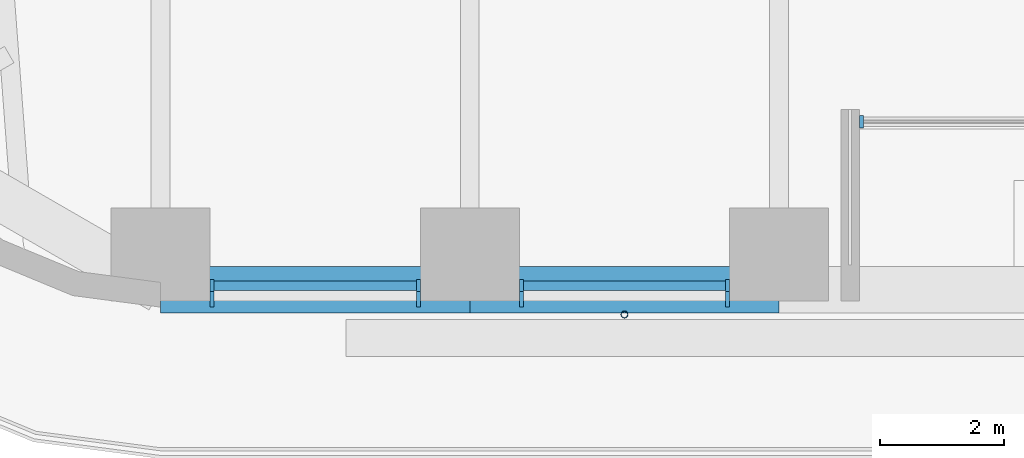
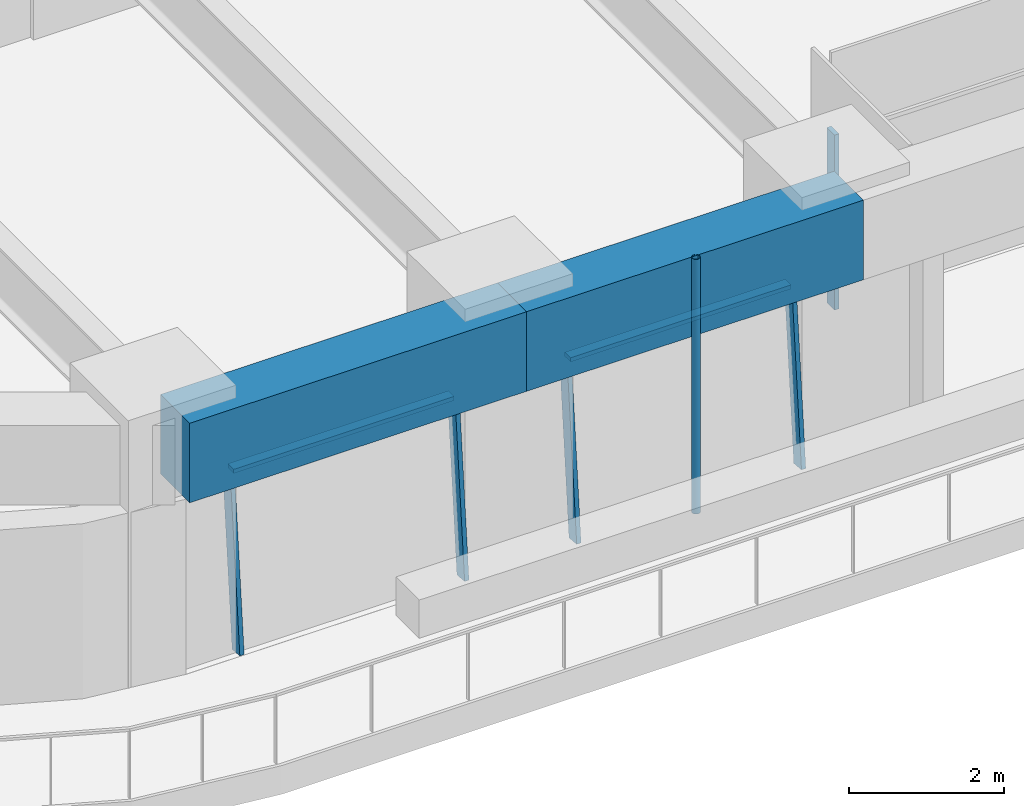
# One storey, part 2 of 24: 8 members, 2 beams, 3 elements without a shape of their own.
"""IFC4 building model written with IfcOpenShell, lengths in metres."""

from ifc_helpers import new_model, si_unit, direction, frame, origin, origin_2d, place, context, subcontext, project, spatial, rectangle, hollow_circle, extrude, material, material_profile, profile_set, type_object, element, aggregate, save


model = new_model("IFC4")

# Units and contexts
model_context = context("Model", 3, precision=1e-05, world=origin(), true_north=direction((0.0, 1.0)))
body_context = subcontext(model_context, "Body", "Model", "MODEL_VIEW")
ifc_project = project(units=[si_unit("LENGTHUNIT", "METRE"), si_unit("AREAUNIT", "SQUARE_METRE"), si_unit("VOLUMEUNIT", "CUBIC_METRE"), si_unit("PLANEANGLEUNIT", "RADIAN"), si_unit("MASSUNIT", "GRAM", prefix="KILO")], contexts=[model_context])

# Site, building, storey
site_placement = place(None, origin())
site = spatial("IfcSite", under=ifc_project, at=site_placement, CompositionType="ELEMENT")
building_placement = place(site_placement, origin())
building = spatial("IfcBuilding", under=site, at=building_placement, Name="Tarfa Lantern Tower", CompositionType="ELEMENT")
storey_placement = place(building_placement, frame((0.0, 0.0, 157.300048828125)))
storey = spatial("IfcBuildingStorey", under=building, at=storey_placement, Name="L35", CompositionType="ELEMENT", Elevation=157.300048828125)

# Curtain wall, members
ifc_material_1 = material(Name="Aluminium framed curtain wall", Category="aluminium")
curtain_wall_type_1 = type_object("IfcCurtainWallType", Name="CW2 CANTED GLAZING MID ZONE 2750", PredefinedType="USERDEFINED", material=ifc_material_1)
curtain_wall_1_placement = place(storey_placement, origin())
curtain_wall_1 = element("IfcCurtainWall", 1, at=curtain_wall_1_placement, inside=storey, type_object=curtain_wall_type_1, Name="CW2 S L35", ObjectType="CURTAIN WALL", PredefinedType="USERDEFINED")
ifc_material_2 = material(Name="Aluminium mullion", Category="aluminium")
ifc_material_profile_1 = material_profile(ifc_material_2, rectangle(XDim=0.06494140625, YDim=0.199951171875, at=origin_2d()), Name="AL MULLION 65x200")
ifc_profile_set_1 = profile_set([ifc_material_profile_1], Name="Aluminium mullion")
member_type_1 = type_object("IfcMemberType", Name="CWM1 MULLION 65x200", PredefinedType="MULLION", material=ifc_profile_set_1)
member_1_placement = place(storey_placement, frame((-14.1787109375, -31.39990234375, 0.0), z_axis=(0.0, 0.090535746043, 0.995893206468), x_axis=(-1.0, 0.0, 0.0)))
member_1 = element("IfcMember", 2, at=member_1_placement, type_object=member_type_1, Name="CW2 mullion 1", PredefinedType="MULLION", context=body_context, shape_type="SweptSolid", body=[
    extrude(rectangle(XDim=0.06494140625, YDim=0.199951171875, at=origin_2d()), origin(), (0.0, 0.0, 1.0), 2.76123046875),
])
member_2_placement = place(storey_placement, frame((-10.83984375, -31.39990234375, 0.0), z_axis=(0.0, 0.090535746043, 0.995893206468), x_axis=(-1.0, 0.0, 0.0)))
member_2 = element("IfcMember", 3, at=member_2_placement, type_object=member_type_1, Name="CW2 mullion 2", PredefinedType="MULLION", context=body_context, shape_type="SweptSolid", body=[
    extrude(rectangle(XDim=0.06494140625, YDim=0.199951171875, at=origin_2d()), origin(), (0.0, 0.0, 1.0), 2.76123046875),
])

curtain_wall_2_placement = place(storey_placement, origin())
curtain_wall_2 = element("IfcCurtainWall", 4, at=curtain_wall_2_placement, inside=storey, type_object=curtain_wall_type_1, Name="CW2 S L35", ObjectType="CURTAIN WALL", PredefinedType="USERDEFINED")
member_3_placement = place(storey_placement, frame((-9.1748046875, -31.39990234375, 0.0), z_axis=(0.0, 0.090535746043, 0.995893206468), x_axis=(-1.0, 0.0, 0.0)))
member_3 = element("IfcMember", 5, at=member_3_placement, type_object=member_type_1, Name="CW2 mullion 1", PredefinedType="MULLION", context=body_context, shape_type="SweptSolid", body=[
    extrude(rectangle(XDim=0.06494140625, YDim=0.199951171875, at=origin_2d()), origin(), (0.0, 0.0, 1.0), 2.76123046875),
])
member_4_placement = place(storey_placement, frame((-5.836181640625, -31.39990234375, 0.0), z_axis=(0.0, 0.090535746043, 0.995893206468), x_axis=(-1.0, 0.0, 0.0)))
member_4 = element("IfcMember", 6, at=member_4_placement, type_object=member_type_1, Name="CW2 mullion 2", PredefinedType="MULLION", context=body_context, shape_type="SweptSolid", body=[
    extrude(rectangle(XDim=0.06494140625, YDim=0.199951171875, at=origin_2d()), origin(), (0.0, 0.0, 1.0), 2.76123046875),
])

# Curtain wall, member
curtain_wall_type_2 = type_object("IfcCurtainWallType", Name="CW10 LOGGIA GLAZING 2750", PredefinedType="USERDEFINED", material=ifc_material_1)
curtain_wall_3_placement = place(storey_placement, origin())
curtain_wall_3 = element("IfcCurtainWall", 7, at=curtain_wall_3_placement, inside=storey, type_object=curtain_wall_type_2, Name="CW10 SL L35", ObjectType="CURTAIN WALL", PredefinedType="USERDEFINED")
member_5_placement = place(storey_placement, frame((-3.671142578125, -28.5, 0.0), z_axis=(0.0, 0.0, 1.0), x_axis=(1.0, 0.0, 0.0)))
member_5 = element("IfcMember", 8, at=member_5_placement, type_object=member_type_1, Name="CW10 mullion 1", PredefinedType="MULLION", context=body_context, shape_type="SweptSolid", body=[
    extrude(rectangle(XDim=0.06494140625, YDim=0.199951171875, at=origin_2d()), origin(), (0.0, 0.0, 1.0), 2.75),
])
aggregate(curtain_wall_3, [member_5])

# Member
ifc_material_3 = material(Name="Aluminium transom", Category="aluminium")
ifc_material_profile_2 = material_profile(ifc_material_3, rectangle(XDim=0.14990234375, YDim=0.06494140625, at=origin_2d()), Name="AL TRANSOM 150x65")
ifc_profile_set_2 = profile_set([ifc_material_profile_2], Name="Aluminium transom")
member_type_2 = type_object("IfcMemberType", Name="CWT1 TRANSOM 150x65", PredefinedType="USERDEFINED", material=ifc_profile_set_2)
member_6_placement = place(storey_placement, frame((-14.14599609375, -31.153076171875, 2.717529296875), z_axis=(1.0, 0.0, 0.0), x_axis=(0.0, 1.0, 0.0)))
member_6 = element("IfcMember", 9, at=member_6_placement, type_object=member_type_2, Name="CW2 transom 1.2", ObjectType="TRANSOM", PredefinedType="USERDEFINED", context=body_context, shape_type="SweptSolid", body=[
    extrude(rectangle(XDim=0.14990234375, YDim=0.06494140625, at=origin_2d()), origin(), (0.0, 0.0, 1.0), 3.273681640625),
])

aggregate(curtain_wall_1, [member_1, member_2, member_6])

member_7_placement = place(storey_placement, frame((-9.142333984375, -31.153076171875, 2.717529296875), z_axis=(1.0, 0.0, 0.0), x_axis=(0.0, 1.0, 0.0)))
member_7 = element("IfcMember", 10, at=member_7_placement, type_object=member_type_2, Name="CW2 transom 1.2", ObjectType="TRANSOM", PredefinedType="USERDEFINED", context=body_context, shape_type="SweptSolid", body=[
    extrude(rectangle(XDim=0.14990234375, YDim=0.06494140625, at=origin_2d()), origin(), (0.0, 0.0, 1.0), 3.273681640625),
])

aggregate(curtain_wall_2, [member_3, member_4, member_7])

# Beams
ifc_material_4 = material(Name="Concrete C80/95", Category="concrete")
ifc_material_profile_3 = material_profile(ifc_material_4, rectangle(XDim=0.75, YDim=1.25, at=origin_2d()), Name="RC 750x1250")
ifc_profile_set_3 = profile_set([ifc_material_profile_3], Name="Concrete C80/95")
beam_type = type_object("IfcBeamType", Name="EB2 RC 750x1250", PredefinedType="SPANDREL", material=ifc_profile_set_3)
for number, where, z_axis, x_axis, name in (
    (11, (-15.010986328125, -31.219970703125, 3.375), (1.0, 0.0, 0.0), (0.0, 1.0, 0.0), "Edge beam S0"),
    (12, (-10.00732421875, -31.219970703125, 3.375), (1.0, 0.0, 0.0), (0.0, 1.0, 0.0), "Edge beam S1"),
):
    element("IfcBeam", number, at=place(storey_placement, frame(where, z_axis=z_axis, x_axis=x_axis)), inside=storey, type_object=beam_type, Name=name, PredefinedType="SPANDREL", context=body_context, shape_type="SweptSolid", body=[
        extrude(rectangle(XDim=0.75, YDim=1.25, at=origin_2d()), origin(), (0.0, 0.0, 1.0), 5.003662109375),
    ])

# Member
ifc_material_5 = material(Name="Steel S355", Category="steel")
ifc_material_profile_4 = material_profile(ifc_material_5, hollow_circle(Radius=0.05712890625, WallThickness=0.00634765625, at=origin_2d()), Name="CHS114.3x6.3")
ifc_profile_set_4 = profile_set([ifc_material_profile_4], Name="Steel S355")
member_type_3 = type_object("IfcMemberType", Name="TR1 GREEN WALL TRELLIS CHS114.3x6.3", PredefinedType="USERDEFINED", material=ifc_profile_set_4)
member_8_placement = place(storey_placement, frame((-7.505615234375, -31.6201171875, 0.0), z_axis=(0.0, 0.0, 1.0), x_axis=(1.0, 0.0, 0.0)))
element("IfcMember", 13, at=member_8_placement, inside=storey, type_object=member_type_3, Name="Trellis post S 1", ObjectType="TRELLIS", PredefinedType="USERDEFINED", context=body_context, shape_type="SweptSolid", body=[
    extrude(hollow_circle(Radius=0.05712890625, WallThickness=0.00634765625, at=origin_2d()), origin(), (0.0, 0.0, 1.0), 4.0),
])

save(model, "model.ifc")
